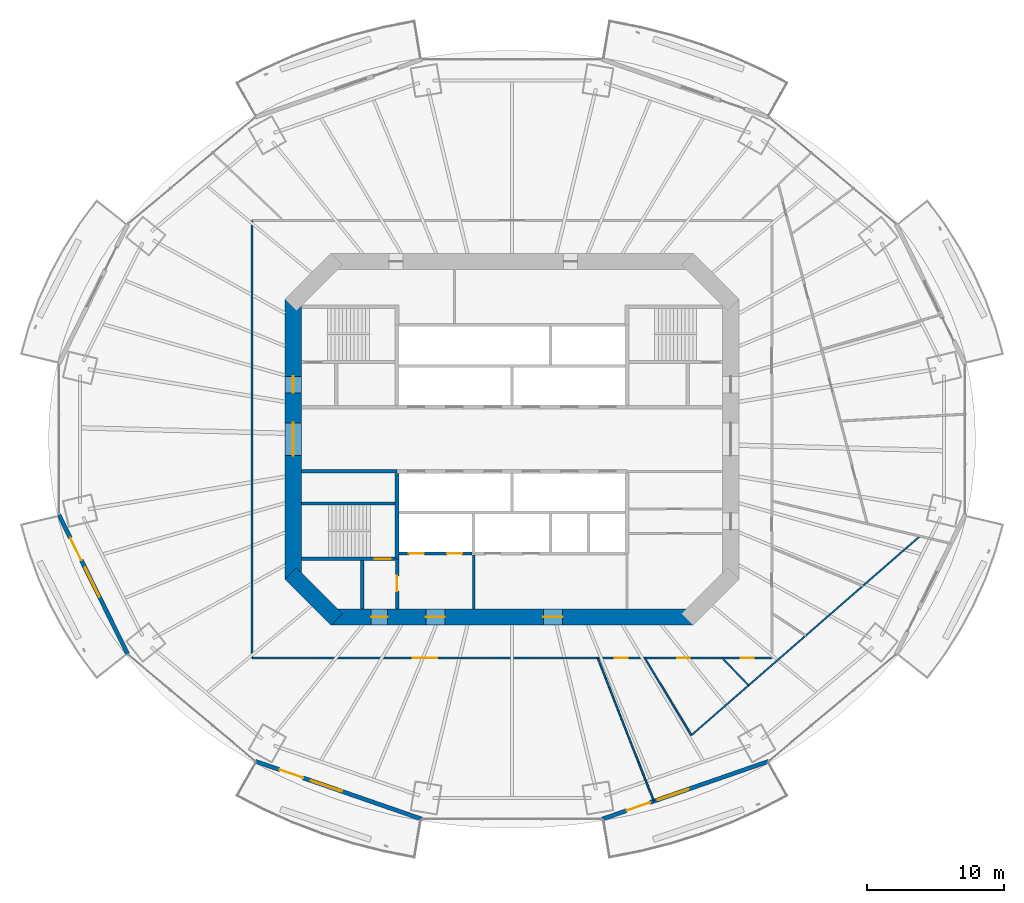
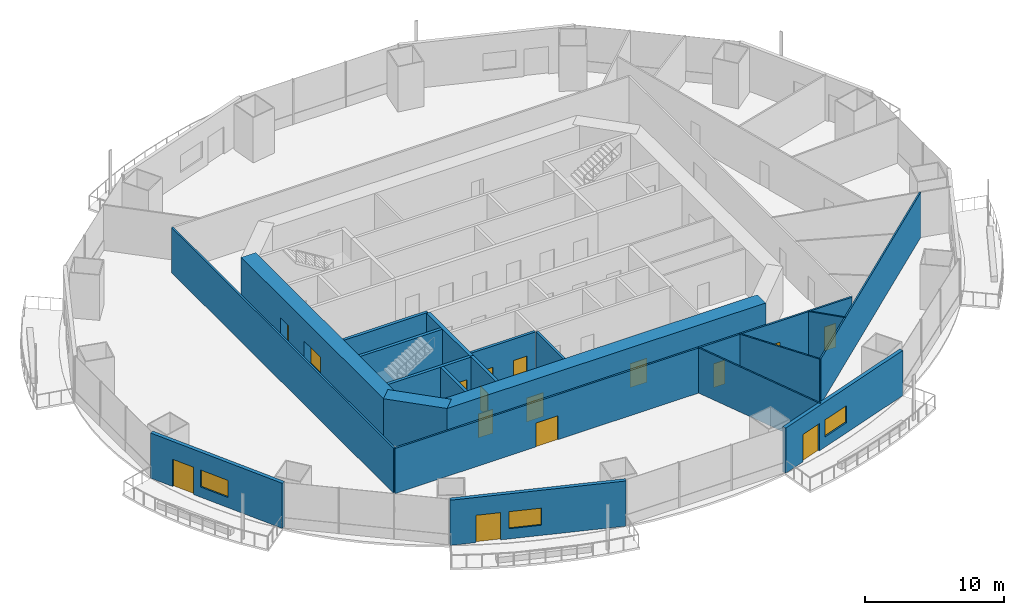
# One storey, part 13 of 21: 20 walls, 16 doors, 3 windows, 19 openings.
"""IFC4 building model written with IfcOpenShell, lengths in metres."""

from ifc_helpers import new_model, si_unit, direction, frame, frame_2d, origin, place, context, subcontext, project, spatial, rectangle, extrude, material, layer, layer_set, type_object, element, fill, save


model = new_model("IFC4")

# Units and contexts
model_context = context("Model", 3, precision=1e-05, world=origin(), true_north=direction((0.0, 1.0)))
body_context = subcontext(model_context, "Body", "Model", "MODEL_VIEW")
ifc_project = project(units=[si_unit("LENGTHUNIT", "METRE"), si_unit("AREAUNIT", "SQUARE_METRE"), si_unit("VOLUMEUNIT", "CUBIC_METRE"), si_unit("PLANEANGLEUNIT", "RADIAN"), si_unit("MASSUNIT", "GRAM", prefix="KILO")], contexts=[model_context])

# Site, building, storey
site_placement = place(None, origin())
site = spatial("IfcSite", under=ifc_project, at=site_placement, CompositionType="ELEMENT")
building_placement = place(site_placement, origin())
building = spatial("IfcBuilding", under=site, at=building_placement, Name="Marenthal Gate Tower", CompositionType="ELEMENT")
storey_placement = place(building_placement, frame((0.0, 0.0, 128.449951171875)))
storey = spatial("IfcBuildingStorey", under=building, at=storey_placement, Name="L27", CompositionType="ELEMENT", Elevation=128.449951171875)

# Wall, openings, doors
ifc_material_1 = material(Name="Concrete 60 MPa", Category="concrete")
ifc_layer_1 = layer(ifc_material_1, 1.199951171875)
ifc_layer_set_1 = layer_set([ifc_layer_1], Name="Core shear wall 1200")
wall_type_1 = type_object("IfcWallType", Name="Core shear wall 1200", PredefinedType="SHEAR", material=ifc_layer_set_1)
wall_1_placement = place(storey_placement, frame((-16.0, 10.24853515625, -0.179931640625), z_axis=(0.0, 0.0, 1.0), x_axis=(0.0, -1.0, 0.0)))
wall_1 = element("IfcWall", 1, at=wall_1_placement, inside=storey, type_object=wall_type_1, Name="Core wall 06", PredefinedType="SHEAR", context=body_context, shape_type="SweptSolid", body=[
    extrude(rectangle(XDim=20.4970703125, YDim=1.199951171875, at=frame_2d((10.24853515625, 0.0))), origin(), (0.0, 0.0, 1.0), 4.14990234375),
])
opening_1_placement = place(wall_1_placement, frame((9.048583984375, 0.0, 0.179931640625)))
opening_1 = element("IfcOpeningElement", 2, at=opening_1_placement, cuts=wall_1, Name="Opening D003.01", PredefinedType="OPENING", context=body_context, shape_type="SweptSolid", body=[
    extrude(rectangle(XDim=2.39990234375, YDim=2.10009765625, at=frame_2d((1.199951171875, 1.050048828125))), frame((0.0, 0.60986328125, 0.0), z_axis=(0.0, -1.0, 0.0), x_axis=(1.0, 0.0, 0.0)), (0.0, 0.0, 1.0), 1.219970703125),
])
opening_2_placement = place(wall_1_placement, frame((5.6484375, 0.0, 0.179931640625)))
opening_2 = element("IfcOpeningElement", 3, at=opening_2_placement, cuts=wall_1, Name="Opening D001.04", PredefinedType="OPENING", context=body_context, shape_type="SweptSolid", body=[
    extrude(rectangle(XDim=1.199951171875, YDim=2.10009765625, at=frame_2d((0.60009765625, 1.050048828125))), frame((0.0, 0.60986328125, 0.0), z_axis=(0.0, -1.0, 0.0), x_axis=(1.0, 0.0, 0.0)), (0.0, 0.0, 1.0), 1.219970703125),
])
ifc_material_2 = material(Name="Steel fire door", Category="steel")
door_type_1 = type_object("IfcDoorType", Name="Double fire door FD 45 2400 x 2100", OperationType="DOUBLE_DOOR_SINGLE_SWING", PredefinedType="DOOR", material=ifc_material_2)
door_1_placement = place(opening_1_placement, origin())
door_1 = element("IfcDoor", 4, at=door_1_placement, inside=storey, type_object=door_type_1, Name="Door D003.01", OperationType="DOUBLE_DOOR_SINGLE_SWING", OverallHeight=2.10009765625, OverallWidth=2.39990234375, PredefinedType="DOOR", context=body_context, shape_type="SweptSolid", body=[
    extrude(rectangle(XDim=2.39990234375, YDim=2.10009765625, at=frame_2d((1.199951171875, 1.050048828125))), frame((0.0, 0.02490234375, 0.0), z_axis=(0.0, -1.0, 0.0), x_axis=(1.0, 0.0, 0.0)), (0.0, 0.0, 1.0), 0.050048828125),
])
fill(opening_1, door_1)
ifc_material_3 = material(Name="Steel fire door", Category="steel")
door_type_2 = type_object("IfcDoorType", Name="Fire door FD 90 1200 x 2100", OperationType="NOTDEFINED", PredefinedType="DOOR", material=ifc_material_3)
door_2_placement = place(opening_2_placement, origin())
door_2 = element("IfcDoor", 5, at=door_2_placement, inside=storey, type_object=door_type_2, Name="Door D001.04", OperationType="SINGLE_SWING_RIGHT", OverallHeight=2.10009765625, OverallWidth=1.199951171875, PredefinedType="DOOR", context=body_context, shape_type="SweptSolid", body=[
    extrude(rectangle(XDim=1.199951171875, YDim=2.10009765625, at=frame_2d((0.60009765625, 1.050048828125))), frame((0.0, 0.02490234375, 0.0), z_axis=(0.0, -1.0, 0.0), x_axis=(1.0, 0.0, 0.0)), (0.0, 0.0, 1.0), 0.050048828125),
])
fill(opening_2, door_2)

# Wall
wall_2_placement = place(storey_placement, frame((-16.17578125, -9.82421875, -0.179931640625), z_axis=(0.0, 0.0, 1.0), x_axis=(0.707106781187, -0.707106781187, 0.0)))
element("IfcWall", 6, at=wall_2_placement, inside=storey, type_object=wall_type_1, Name="Core wall 07", PredefinedType="SHEAR", context=body_context, shape_type="SweptSolid", body=[
    extrude(rectangle(XDim=4.73974609375, YDim=1.199951171875, at=frame_2d((2.369873046875, 0.0))), origin(), (0.0, 0.0, 1.0), 4.14990234375),
])

# Wall, openings, doors
wall_3_placement = place(storey_placement, frame((-13.24853515625, -13.0, -0.179931640625), z_axis=(0.0, 0.0, 1.0), x_axis=(1.0, 0.0, 0.0)))
wall_3 = element("IfcWall", 7, at=wall_3_placement, inside=storey, type_object=wall_type_1, Name="Core wall 08", PredefinedType="SHEAR", context=body_context, shape_type="SweptSolid", body=[
    extrude(rectangle(XDim=26.4970703125, YDim=1.199951171875, at=frame_2d((13.24853515625, 0.0))), origin(), (0.0, 0.0, 1.0), 4.14990234375),
])
opening_3_placement = place(wall_3_placement, frame((2.948486328125, 0.0, 0.179931640625)))
opening_3 = element("IfcOpeningElement", 8, at=opening_3_placement, cuts=wall_3, Name="Opening D001.06", PredefinedType="OPENING", context=body_context, shape_type="SweptSolid", body=[
    extrude(rectangle(XDim=1.199951171875, YDim=2.10009765625, at=frame_2d((0.60009765625, 1.050048828125))), frame((0.0, 0.60986328125, 0.0), z_axis=(0.0, -1.0, 0.0), x_axis=(1.0, 0.0, 0.0)), (0.0, 0.0, 1.0), 1.219970703125),
])
opening_4_placement = place(wall_3_placement, frame((6.948486328125, 0.0, 0.179931640625)))
opening_4 = element("IfcOpeningElement", 9, at=opening_4_placement, cuts=wall_3, Name="Opening D004.01", PredefinedType="OPENING", context=body_context, shape_type="SweptSolid", body=[
    extrude(rectangle(XDim=1.39990234375, YDim=2.10009765625, at=frame_2d((0.699951171875, 1.050048828125))), frame((0.0, 0.60986328125, 0.0), z_axis=(0.0, -1.0, 0.0), x_axis=(1.0, 0.0, 0.0)), (0.0, 0.0, 1.0), 1.219970703125),
])
opening_5_placement = place(wall_3_placement, frame((15.548583984375, 0.0, 0.179931640625)))
opening_5 = element("IfcOpeningElement", 10, at=opening_5_placement, cuts=wall_3, Name="Opening D004.02", PredefinedType="OPENING", context=body_context, shape_type="SweptSolid", body=[
    extrude(rectangle(XDim=1.39990234375, YDim=2.10009765625, at=frame_2d((0.699951171875, 1.050048828125))), frame((0.0, 0.60986328125, 0.0), z_axis=(0.0, -1.0, 0.0), x_axis=(1.0, 0.0, 0.0)), (0.0, 0.0, 1.0), 1.219970703125),
])
ifc_material_4 = material(Name="Steel fire door", Category="steel")
door_type_3 = type_object("IfcDoorType", Name="Fire door FD 45 1400 x 2100", OperationType="NOTDEFINED", PredefinedType="DOOR", material=ifc_material_4)
door_3_placement = place(opening_4_placement, origin())
door_3 = element("IfcDoor", 11, at=door_3_placement, inside=storey, type_object=door_type_3, Name="Door D004.01", OperationType="SINGLE_SWING_RIGHT", OverallHeight=2.10009765625, OverallWidth=1.39990234375, PredefinedType="DOOR", context=body_context, shape_type="SweptSolid", body=[
    extrude(rectangle(XDim=1.39990234375, YDim=2.10009765625, at=frame_2d((0.699951171875, 1.050048828125))), frame((0.0, 0.02490234375, 0.0), z_axis=(0.0, -1.0, 0.0), x_axis=(1.0, 0.0, 0.0)), (0.0, 0.0, 1.0), 0.050048828125),
])
fill(opening_4, door_3)
door_4_placement = place(opening_5_placement, origin())
door_4 = element("IfcDoor", 12, at=door_4_placement, inside=storey, type_object=door_type_3, Name="Door D004.02", OperationType="SINGLE_SWING_RIGHT", OverallHeight=2.10009765625, OverallWidth=1.39990234375, PredefinedType="DOOR", context=body_context, shape_type="SweptSolid", body=[
    extrude(rectangle(XDim=1.39990234375, YDim=2.10009765625, at=frame_2d((0.699951171875, 1.050048828125))), frame((0.0, 0.02490234375, 0.0), z_axis=(0.0, -1.0, 0.0), x_axis=(1.0, 0.0, 0.0)), (0.0, 0.0, 1.0), 0.050048828125),
])
fill(opening_5, door_4)
door_5_placement = place(opening_3_placement, origin())
door_5 = element("IfcDoor", 13, at=door_5_placement, inside=storey, type_object=door_type_2, Name="Door D001.06", OperationType="SINGLE_SWING_RIGHT", OverallHeight=2.10009765625, OverallWidth=1.199951171875, PredefinedType="DOOR", context=body_context, shape_type="SweptSolid", body=[
    extrude(rectangle(XDim=1.199951171875, YDim=2.10009765625, at=frame_2d((0.60009765625, 1.050048828125))), frame((0.0, 0.02490234375, 0.0), z_axis=(0.0, -1.0, 0.0), x_axis=(1.0, 0.0, 0.0)), (0.0, 0.0, 1.0), 0.050048828125),
])
fill(opening_3, door_5)

# Walls
ifc_material_5 = material(Name="Gypsum board on steel studs", Category="steel")
ifc_layer_2 = layer(ifc_material_5, 0.199951171875)
ifc_layer_set_2 = layer_set([ifc_layer_2], Name="Fire lobby wall 200")
wall_type_2 = type_object("IfcWallType", Name="Fire lobby wall 200", PredefinedType="PARTITIONING", material=ifc_layer_set_2)
wall_4_placement = place(storey_placement, frame((-2.800048828125, -12.39990234375, 0.0), z_axis=(0.0, 0.0, 1.0), x_axis=(0.0, 1.0, 0.0)))
element("IfcWall", 14, at=wall_4_placement, inside=storey, type_object=wall_type_2, Name="Fire wall 35", PredefinedType="PARTITIONING", context=body_context, shape_type="SweptSolid", body=[
    extrude(rectangle(XDim=3.93994140625, YDim=0.199951171875, at=frame_2d((1.969970703125, 0.0))), origin(), (0.0, 0.0, 1.0), 3.969970703125),
])
ifc_material_6 = material(Name="Concrete 50 MPa", Category="concrete")
ifc_layer_3 = layer(ifc_material_6, 0.300048828125)
ifc_layer_set_3 = layer_set([ifc_layer_3], Name="Hoistway shear wall 300")
wall_type_3 = type_object("IfcWallType", Name="Hoistway shear wall 300", PredefinedType="SHEAR", material=ifc_layer_set_3)
wall_5_placement = place(storey_placement, frame((-8.39990234375, -8.75, -0.179931640625), z_axis=(0.0, 0.0, 1.0), x_axis=(0.0, 1.0, 0.0)))
element("IfcWall", 15, at=wall_5_placement, inside=storey, type_object=wall_type_3, Name="Hoistway wall 31", PredefinedType="SHEAR", context=body_context, shape_type="SweptSolid", body=[
    extrude(rectangle(XDim=6.25, YDim=0.300048828125, at=frame_2d((3.125, 0.0))), origin(), (0.0, 0.0, 1.0), 4.14990234375),
])

# Wall, openings, doors
ifc_material_7 = material(Name="Concrete 40 MPa", Category="concrete")
ifc_layer_4 = layer(ifc_material_7, 0.219970703125)
ifc_layer_set_4 = layer_set([ifc_layer_4], Name="Hoistway wall 220")
wall_type_4 = type_object("IfcWallType", Name="Hoistway wall 220", PredefinedType="STANDARD", material=ifc_layer_set_4)
wall_6_placement = place(storey_placement, frame((-8.25, -8.35009765625, 0.0), z_axis=(0.0, 0.0, 1.0), x_axis=(1.0, 0.0, 0.0)))
wall_6 = element("IfcWall", 16, at=wall_6_placement, inside=storey, type_object=wall_type_4, Name="Hoistway wall 10", PredefinedType="STANDARD", context=body_context, shape_type="SweptSolid", body=[
    extrude(rectangle(XDim=5.340087890625, YDim=0.219970703125, at=frame_2d((2.669921875, 0.0))), origin(), (0.0, 0.0, 1.0), 3.969970703125),
])
opening_6_placement = place(wall_6_placement, frame((0.699951171875, 0.0, 0.0)))
opening_6 = element("IfcOpeningElement", 17, at=opening_6_placement, cuts=wall_6, Name="Opening LD-LF1", PredefinedType="OPENING", context=body_context, shape_type="SweptSolid", body=[
    extrude(rectangle(XDim=1.10009765625, YDim=2.10009765625, at=frame_2d((0.550048828125, 1.050048828125))), frame((0.0, 0.1201171875, 0.0), z_axis=(0.0, -1.0, 0.0), x_axis=(1.0, 0.0, 0.0)), (0.0, 0.0, 1.0), 0.239990234375),
])
opening_7_placement = place(wall_6_placement, frame((3.5, 0.0, 0.0)))
opening_7 = element("IfcOpeningElement", 18, at=opening_7_placement, cuts=wall_6, Name="Opening LD-LF2", PredefinedType="OPENING", context=body_context, shape_type="SweptSolid", body=[
    extrude(rectangle(XDim=1.10009765625, YDim=2.10009765625, at=frame_2d((0.550048828125, 1.050048828125))), frame((0.0, 0.1201171875, 0.0), z_axis=(0.0, -1.0, 0.0), x_axis=(1.0, 0.0, 0.0)), (0.0, 0.0, 1.0), 0.239990234375),
])
ifc_material_8 = material(Name="Stainless steel sliding door", Category="steel")
door_type_4 = type_object("IfcDoorType", Name="Lift landing door FD 90 1100 x 2100", OperationType="DOUBLE_DOOR_SLIDING", PredefinedType="DOOR", material=ifc_material_8)
door_6_placement = place(opening_6_placement, origin())
door_6 = element("IfcDoor", 19, at=door_6_placement, inside=storey, type_object=door_type_4, Name="Lift landing door LF1", OperationType="DOUBLE_DOOR_SLIDING", OverallHeight=2.10009765625, OverallWidth=1.10009765625, PredefinedType="DOOR", context=body_context, shape_type="SweptSolid", body=[
    extrude(rectangle(XDim=1.10009765625, YDim=2.10009765625, at=frame_2d((0.550048828125, 1.050048828125))), frame((0.0, 0.02490234375, 0.0), z_axis=(0.0, -1.0, 0.0), x_axis=(1.0, 0.0, 0.0)), (0.0, 0.0, 1.0), 0.050048828125),
])
fill(opening_6, door_6)
door_7_placement = place(opening_7_placement, origin())
door_7 = element("IfcDoor", 20, at=door_7_placement, inside=storey, type_object=door_type_4, Name="Lift landing door LF2", OperationType="DOUBLE_DOOR_SLIDING", OverallHeight=2.10009765625, OverallWidth=1.10009765625, PredefinedType="DOOR", context=body_context, shape_type="SweptSolid", body=[
    extrude(rectangle(XDim=1.10009765625, YDim=2.10009765625, at=frame_2d((0.550048828125, 1.050048828125))), frame((0.0, 0.02490234375, 0.0), z_axis=(0.0, -1.0, 0.0), x_axis=(1.0, 0.0, 0.0)), (0.0, 0.0, 1.0), 0.050048828125),
])
fill(opening_7, door_7)

# Walls
ifc_material_9 = material(Name="Gypsum board on steel studs", Category="steel")
ifc_layer_5 = layer(ifc_material_9, 0.1201171875)
ifc_layer_set_5 = layer_set([ifc_layer_5], Name="Partition 120")
wall_type_5 = type_object("IfcWallType", Name="Partition 120", PredefinedType="PARTITIONING", material=ifc_layer_set_5)
wall_7_placement = place(storey_placement, frame((6.26904296875, -16.0, 0.0), z_axis=(0.0, 0.0, 1.0), x_axis=(0.364805509502, -0.931083745018, 0.0)))
element("IfcWall", 21, at=wall_7_placement, inside=storey, type_object=wall_type_5, Name="Partition wall 50", PredefinedType="PARTITIONING", context=body_context, shape_type="SweptSolid", body=[
    extrude(rectangle(XDim=11.240478515625, YDim=0.1201171875, at=frame_2d((5.6201171875, 0.0))), origin(), (0.0, 0.0, 1.0), 3.969970703125),
])
wall_8_placement = place(storey_placement, frame((13.123291015625, -21.637939453125, 0.0), z_axis=(0.0, 0.0, 1.0), x_axis=(0.754100434229, 0.65675911497, 0.0)))
element("IfcWall", 22, at=wall_8_placement, inside=storey, type_object=wall_type_5, Name="Partition wall 51", PredefinedType="PARTITIONING", context=body_context, shape_type="SweptSolid", body=[
    extrude(rectangle(XDim=22.154052734375, YDim=0.1201171875, at=frame_2d((11.0771484375, 0.0))), origin(), (0.0, 0.0, 1.0), 3.969970703125),
])
wall_9_placement = place(storey_placement, frame((13.123291015625, -21.637939453125, 0.0), z_axis=(0.0, 0.0, 1.0), x_axis=(-0.518579044336, 0.855029692336, 0.0)))
element("IfcWall", 23, at=wall_9_placement, inside=storey, type_object=wall_type_5, Name="Partition wall 52", PredefinedType="PARTITIONING", context=body_context, shape_type="SweptSolid", body=[
    extrude(rectangle(XDim=6.59375, YDim=0.1201171875, at=frame_2d((3.296875, 0.0))), origin(), (0.0, 0.0, 1.0), 3.969970703125),
])
wall_10_placement = place(storey_placement, frame((17.2998046875, -18.00048828125, 0.0), z_axis=(0.0, 0.0, 1.0), x_axis=(-0.69293284795, 0.721002127759, 0.0)))
element("IfcWall", 24, at=wall_10_placement, inside=storey, type_object=wall_type_5, Name="Partition wall 54", PredefinedType="PARTITIONING", context=body_context, shape_type="SweptSolid", body=[
    extrude(rectangle(XDim=2.774658203125, YDim=0.1201171875, at=frame_2d((1.38720703125, 0.0))), origin(), (0.0, 0.0, 1.0), 3.969970703125),
])
ifc_material_10 = material(Name="Gypsum board on steel studs", Category="steel")
ifc_layer_6 = layer(ifc_material_10, 0.14990234375)
ifc_layer_set_6 = layer_set([ifc_layer_6], Name="Partition 150")
wall_type_6 = type_object("IfcWallType", Name="Partition 150", PredefinedType="PARTITIONING", material=ifc_layer_set_6)
wall_11_placement = place(storey_placement, frame((-19.0, -16.0, 0.0), z_axis=(0.0, 0.0, 1.0), x_axis=(0.0, 1.0, 0.0)))
element("IfcWall", 25, at=wall_11_placement, inside=storey, type_object=wall_type_6, Name="Partition wall 47", PredefinedType="PARTITIONING", context=body_context, shape_type="SweptSolid", body=[
    extrude(rectangle(XDim=32.0, YDim=0.14990234375, at=frame_2d((16.0, 0.0))), origin(), (0.0, 0.0, 1.0), 3.969970703125),
])

# Wall, openings, doors
wall_12_placement = place(storey_placement, frame((19.0, -16.0, 0.0), z_axis=(0.0, 0.0, 1.0), x_axis=(-1.0, 0.0, 0.0)))
wall_12 = element("IfcWall", 26, at=wall_12_placement, inside=storey, type_object=wall_type_6, Name="Partition wall 55", PredefinedType="PARTITIONING", context=body_context, shape_type="SweptSolid", body=[
    extrude(rectangle(XDim=38.0, YDim=0.14990234375, at=frame_2d((19.0, 0.0))), origin(), (0.0, 0.0, 1.0), 3.969970703125),
])
opening_8_placement = place(wall_12_placement, frame((24.465087890625, 0.0, 0.0)))
opening_8 = element("IfcOpeningElement", 27, at=opening_8_placement, cuts=wall_12, Name="Opening D014.02", PredefinedType="OPENING", context=body_context, shape_type="SweptSolid", body=[
    extrude(rectangle(XDim=1.800048828125, YDim=2.10009765625, at=frame_2d((0.89990234375, 1.050048828125))), frame((0.0, 0.0849609375, 0.0), z_axis=(0.0, -1.0, 0.0), x_axis=(1.0, 0.0, 0.0)), (0.0, 0.0, 1.0), 0.169921875),
])
opening_9_placement = place(wall_12_placement, frame((5.98388671875, 0.0, 0.0)))
opening_9 = element("IfcOpeningElement", 28, at=opening_9_placement, cuts=wall_12, Name="Opening D016.01", PredefinedType="OPENING", context=body_context, shape_type="SweptSolid", body=[
    extrude(rectangle(XDim=0.949951171875, YDim=2.10009765625, at=frame_2d((0.47509765625, 1.050048828125))), frame((0.0, 0.0849609375, 0.0), z_axis=(0.0, -1.0, 0.0), x_axis=(1.0, 0.0, 0.0)), (0.0, 0.0, 1.0), 0.169921875),
])
opening_10_placement = place(wall_12_placement, frame((1.3359375, 0.0, 0.0)))
opening_10 = element("IfcOpeningElement", 29, at=opening_10_placement, cuts=wall_12, Name="Opening D016.02", PredefinedType="OPENING", context=body_context, shape_type="SweptSolid", body=[
    extrude(rectangle(XDim=0.949951171875, YDim=2.10009765625, at=frame_2d((0.47509765625, 1.050048828125))), frame((0.0, 0.0849609375, 0.0), z_axis=(0.0, -1.0, 0.0), x_axis=(1.0, 0.0, 0.0)), (0.0, 0.0, 1.0), 0.169921875),
])
opening_11_placement = place(wall_12_placement, frame((10.5380859375, 0.0, 0.0)))
opening_11 = element("IfcOpeningElement", 30, at=opening_11_placement, cuts=wall_12, Name="Opening D016.05", PredefinedType="OPENING", context=body_context, shape_type="SweptSolid", body=[
    extrude(rectangle(XDim=0.949951171875, YDim=2.10009765625, at=frame_2d((0.47509765625, 1.050048828125))), frame((0.0, 0.0849609375, 0.0), z_axis=(0.0, -1.0, 0.0), x_axis=(1.0, 0.0, 0.0)), (0.0, 0.0, 1.0), 0.169921875),
])
ifc_material_11 = material(Name="Timber door", Category="wood")
door_type_5 = type_object("IfcDoorType", Name="Door 950 x 2100", OperationType="NOTDEFINED", PredefinedType="DOOR", material=ifc_material_11)
door_8_placement = place(opening_9_placement, origin())
door_8 = element("IfcDoor", 31, at=door_8_placement, inside=storey, type_object=door_type_5, Name="Door D016.01", OperationType="SINGLE_SWING_RIGHT", OverallHeight=2.10009765625, OverallWidth=0.949951171875, PredefinedType="DOOR", context=body_context, shape_type="SweptSolid", body=[
    extrude(rectangle(XDim=0.949951171875, YDim=2.10009765625, at=frame_2d((0.47509765625, 1.050048828125))), frame((0.0, 0.02490234375, 0.0), z_axis=(0.0, -1.0, 0.0), x_axis=(1.0, 0.0, 0.0)), (0.0, 0.0, 1.0), 0.050048828125),
])
fill(opening_9, door_8)
door_9_placement = place(opening_10_placement, origin())
door_9 = element("IfcDoor", 32, at=door_9_placement, inside=storey, type_object=door_type_5, Name="Door D016.02", OperationType="SINGLE_SWING_RIGHT", OverallHeight=2.10009765625, OverallWidth=0.949951171875, PredefinedType="DOOR", context=body_context, shape_type="SweptSolid", body=[
    extrude(rectangle(XDim=0.949951171875, YDim=2.10009765625, at=frame_2d((0.47509765625, 1.050048828125))), frame((0.0, 0.02490234375, 0.0), z_axis=(0.0, -1.0, 0.0), x_axis=(1.0, 0.0, 0.0)), (0.0, 0.0, 1.0), 0.050048828125),
])
fill(opening_10, door_9)
door_10_placement = place(opening_11_placement, origin())
door_10 = element("IfcDoor", 33, at=door_10_placement, inside=storey, type_object=door_type_5, Name="Door D016.05", OperationType="SINGLE_SWING_RIGHT", OverallHeight=2.10009765625, OverallWidth=0.949951171875, PredefinedType="DOOR", context=body_context, shape_type="SweptSolid", body=[
    extrude(rectangle(XDim=0.949951171875, YDim=2.10009765625, at=frame_2d((0.47509765625, 1.050048828125))), frame((0.0, 0.02490234375, 0.0), z_axis=(0.0, -1.0, 0.0), x_axis=(1.0, 0.0, 0.0)), (0.0, 0.0, 1.0), 0.050048828125),
])
fill(opening_11, door_10)
ifc_material_12 = material(Name="Timber door", Category="wood")
door_type_6 = type_object("IfcDoorType", Name="Double door 1800 x 2100", OperationType="DOUBLE_DOOR_SINGLE_SWING", PredefinedType="DOOR", material=ifc_material_12)
door_11_placement = place(opening_8_placement, origin())
door_11 = element("IfcDoor", 34, at=door_11_placement, inside=storey, type_object=door_type_6, Name="Door D014.02", OperationType="DOUBLE_DOOR_SINGLE_SWING", OverallHeight=2.10009765625, OverallWidth=1.800048828125, PredefinedType="DOOR", context=body_context, shape_type="SweptSolid", body=[
    extrude(rectangle(XDim=1.800048828125, YDim=2.10009765625, at=frame_2d((0.89990234375, 1.050048828125))), frame((0.0, 0.02490234375, 0.0), z_axis=(0.0, -1.0, 0.0), x_axis=(1.0, 0.0, 0.0)), (0.0, 0.0, 1.0), 0.050048828125),
])
fill(opening_8, door_11)

# Walls
ifc_material_13 = material(Name="Concrete 40 MPa", Category="concrete")
ifc_layer_7 = layer(ifc_material_13, 0.25)
ifc_layer_set_7 = layer_set([ifc_layer_7], Name="Stair enclosure wall 250")
wall_type_7 = type_object("IfcWallType", Name="Stair enclosure wall 250", PredefinedType="STANDARD", material=ifc_layer_set_7)
wall_13_placement = place(storey_placement, frame((-15.39990234375, -2.35009765625, 0.0), z_axis=(0.0, 0.0, 1.0), x_axis=(1.0, 0.0, 0.0)))
element("IfcWall", 35, at=wall_13_placement, inside=storey, type_object=wall_type_7, Name="Stair wall 16", PredefinedType="STANDARD", context=body_context, shape_type="SweptSolid", body=[
    extrude(rectangle(XDim=7.0, YDim=0.25, at=frame_2d((3.5, 0.0))), origin(), (0.0, 0.0, 1.0), 3.969970703125),
])
wall_14_placement = place(storey_placement, frame((-10.949951171875, -12.39990234375, 0.0), z_axis=(0.0, 0.0, 1.0), x_axis=(0.0, 1.0, 0.0)))
element("IfcWall", 36, at=wall_14_placement, inside=storey, type_object=wall_type_7, Name="Stair wall 29", PredefinedType="STANDARD", context=body_context, shape_type="SweptSolid", body=[
    extrude(rectangle(XDim=3.52490234375, YDim=0.25, at=frame_2d((1.762451171875, 0.0))), origin(), (0.0, 0.0, 1.0), 3.969970703125),
])

# Wall, opening, door
wall_15_placement = place(storey_placement, frame((-8.39990234375, -12.39990234375, 0.0), z_axis=(0.0, 0.0, 1.0), x_axis=(0.0, 1.0, 0.0)))
wall_15 = element("IfcWall", 37, at=wall_15_placement, inside=storey, type_object=wall_type_7, Name="Stair wall 30", PredefinedType="STANDARD", context=body_context, shape_type="SweptSolid", body=[
    extrude(rectangle(XDim=3.64990234375, YDim=0.25, at=frame_2d((1.824951171875, 0.0))), origin(), (0.0, 0.0, 1.0), 3.969970703125),
])
opening_12_placement = place(wall_15_placement, frame((1.300048828125, 0.0, 0.0)))
opening_12 = element("IfcOpeningElement", 38, at=opening_12_placement, cuts=wall_15, Name="Opening D002.01", PredefinedType="OPENING", context=body_context, shape_type="SweptSolid", body=[
    extrude(rectangle(XDim=1.10009765625, YDim=2.10009765625, at=frame_2d((0.550048828125, 1.050048828125))), frame((0.0, 0.135009765625, 0.0), z_axis=(0.0, -1.0, 0.0), x_axis=(1.0, 0.0, 0.0)), (0.0, 0.0, 1.0), 0.27001953125),
])
ifc_material_14 = material(Name="Steel fire door", Category="steel")
door_type_7 = type_object("IfcDoorType", Name="Fire door FD 90 1100 x 2100", OperationType="NOTDEFINED", PredefinedType="DOOR", material=ifc_material_14)
door_12_placement = place(opening_12_placement, origin())
door_12 = element("IfcDoor", 39, at=door_12_placement, inside=storey, type_object=door_type_7, Name="Door D002.01", OperationType="SINGLE_SWING_RIGHT", OverallHeight=2.10009765625, OverallWidth=1.10009765625, PredefinedType="DOOR", context=body_context, shape_type="SweptSolid", body=[
    extrude(rectangle(XDim=1.10009765625, YDim=2.10009765625, at=frame_2d((0.550048828125, 1.050048828125))), frame((0.0, 0.02490234375, 0.0), z_axis=(0.0, -1.0, 0.0), x_axis=(1.0, 0.0, 0.0)), (0.0, 0.0, 1.0), 0.050048828125),
])
fill(opening_12, door_12)

ifc_material_15 = material(Name="Concrete 50 MPa", Category="concrete")
ifc_layer_8 = layer(ifc_material_15, 0.25)
ifc_layer_set_8 = layer_set([ifc_layer_8], Name="Stair shear wall 250")
wall_type_8 = type_object("IfcWallType", Name="Stair shear wall 250", PredefinedType="SHEAR", material=ifc_layer_set_8)
wall_16_placement = place(storey_placement, frame((-15.39990234375, -8.75, -0.179931640625), z_axis=(0.0, 0.0, 1.0), x_axis=(1.0, 0.0, 0.0)))
wall_16 = element("IfcWall", 40, at=wall_16_placement, inside=storey, type_object=wall_type_8, Name="Stair wall 09", PredefinedType="SHEAR", context=body_context, shape_type="SweptSolid", body=[
    extrude(rectangle(XDim=6.849853515625, YDim=0.25, at=frame_2d((3.4248046875, 0.0))), origin(), (0.0, 0.0, 1.0), 4.14990234375),
])
opening_13_placement = place(wall_16_placement, frame((5.35009765625, 0.0, 0.179931640625)))
opening_13 = element("IfcOpeningElement", 41, at=opening_13_placement, cuts=wall_16, Name="Opening D001.03", PredefinedType="OPENING", context=body_context, shape_type="SweptSolid", body=[
    extrude(rectangle(XDim=1.199951171875, YDim=2.10009765625, at=frame_2d((0.60009765625, 1.050048828125))), frame((0.0, 0.135009765625, 0.0), z_axis=(0.0, -1.0, 0.0), x_axis=(1.0, 0.0, 0.0)), (0.0, 0.0, 1.0), 0.27001953125),
])
door_13_placement = place(opening_13_placement, origin())
door_13 = element("IfcDoor", 42, at=door_13_placement, inside=storey, type_object=door_type_2, Name="Door D001.03", OperationType="SINGLE_SWING_RIGHT", OverallHeight=2.10009765625, OverallWidth=1.199951171875, PredefinedType="DOOR", context=body_context, shape_type="SweptSolid", body=[
    extrude(rectangle(XDim=1.199951171875, YDim=2.10009765625, at=frame_2d((0.60009765625, 1.050048828125))), frame((0.0, 0.02490234375, 0.0), z_axis=(0.0, -1.0, 0.0), x_axis=(1.0, 0.0, 0.0)), (0.0, 0.0, 1.0), 0.050048828125),
])
fill(opening_13, door_13)

# Wall
wall_17_placement = place(storey_placement, frame((-15.39990234375, -4.699951171875, -0.179931640625), z_axis=(0.0, 0.0, 1.0), x_axis=(1.0, 0.0, 0.0)))
element("IfcWall", 43, at=wall_17_placement, inside=storey, type_object=wall_type_8, Name="Stair wall 15", PredefinedType="SHEAR", context=body_context, shape_type="SweptSolid", body=[
    extrude(rectangle(XDim=6.849853515625, YDim=0.25, at=frame_2d((3.4248046875, 0.0))), origin(), (0.0, 0.0, 1.0), 4.14990234375),
])

# Wall, openings, door, window
ifc_material_16 = material(Name="Terracotta cladding on insulated concrete-block backing", Category="masonry")
ifc_layer_9 = layer(ifc_material_16, 0.300048828125)
ifc_layer_set_9 = layer_set([ifc_layer_9], Name="Terracotta facade wall 300")
wall_type_9 = type_object("IfcWallType", Name="Terracotta facade wall 300", PredefinedType="SOLIDWALL", material=ifc_layer_set_9)
wall_18_placement = place(storey_placement, frame((-33.134765625, -5.525390625, 0.0), z_axis=(0.0, 0.0, 1.0), x_axis=(0.442972236493, -0.896535329865, 0.0)))
wall_18 = element("IfcWall", 44, at=wall_18_placement, inside=storey, type_object=wall_type_9, Name="Terracotta facade wall L27 bay 9", PredefinedType="SOLIDWALL", context=body_context, shape_type="SweptSolid", body=[
    extrude(rectangle(XDim=11.3876953125, YDim=0.300048828125, at=frame_2d((5.69384765625, 0.0))), origin(), (0.0, 0.0, 1.0), 3.969970703125),
])
opening_14_placement = place(wall_18_placement, frame((1.89990234375, 0.0, 0.0)))
opening_14 = element("IfcOpeningElement", 45, at=opening_14_placement, cuts=wall_18, Name="Opening BD-L27-09", PredefinedType="OPENING", context=body_context, shape_type="SweptSolid", body=[
    extrude(rectangle(XDim=1.800048828125, YDim=2.39990234375, at=frame_2d((0.89990234375, 1.199951171875))), frame((0.0, 0.16015625, 0.0), z_axis=(0.0, -1.0, 0.0), x_axis=(1.0, 0.0, 0.0)), (0.0, 0.0, 1.0), 0.320068359375),
])
opening_15_placement = place(wall_18_placement, frame((4.300048828125, 0.0, 0.89990234375)))
opening_15 = element("IfcOpeningElement", 46, at=opening_15_placement, cuts=wall_18, Name="Opening WN1-L27-09", PredefinedType="OPENING", context=body_context, shape_type="SweptSolid", body=[
    extrude(rectangle(XDim=2.39990234375, YDim=1.5, at=frame_2d((1.199951171875, 0.75))), frame((0.0, 0.16015625, 0.0), z_axis=(0.0, -1.0, 0.0), x_axis=(1.0, 0.0, 0.0)), (0.0, 0.0, 1.0), 0.320068359375),
])
ifc_material_17 = material(Name="Aluminium and glass", Category="aluminium")
door_type_8 = type_object("IfcDoorType", Name="Balcony door 1800x2400", OperationType="DOUBLE_DOOR_SINGLE_SWING", PredefinedType="DOOR", material=ifc_material_17)
door_14_placement = place(opening_14_placement, origin())
door_14 = element("IfcDoor", 47, at=door_14_placement, inside=storey, type_object=door_type_8, Name="Balcony door L27 bay 9", OperationType="SINGLE_SWING_LEFT", OverallHeight=2.39990234375, OverallWidth=1.800048828125, PredefinedType="DOOR", context=body_context, shape_type="SweptSolid", body=[
    extrude(rectangle(XDim=1.800048828125, YDim=2.39990234375, at=frame_2d((0.89990234375, 1.199951171875))), frame((0.0, 0.02490234375, 0.0), z_axis=(0.0, -1.0, 0.0), x_axis=(1.0, 0.0, 0.0)), (0.0, 0.0, 1.0), 0.050048828125),
])
fill(opening_14, door_14)
ifc_material_18 = material(Name="Aluminium and glass", Category="aluminium")
window_type = type_object("IfcWindowType", Name="Window 2400x1500", PartitioningType="TRIPLE_PANEL_VERTICAL", PredefinedType="WINDOW", material=ifc_material_18)
window_1_placement = place(opening_15_placement, origin())
window_1 = element("IfcWindow", 48, at=window_1_placement, inside=storey, type_object=window_type, Name="Window L27 bay 9", OverallHeight=1.5, OverallWidth=2.39990234375, PartitioningType="SINGLE_PANEL", PredefinedType="WINDOW", context=body_context, shape_type="SweptSolid", body=[
    extrude(rectangle(XDim=2.39990234375, YDim=1.5, at=frame_2d((1.199951171875, 0.75))), frame((0.0, 0.030029296875, 0.0), z_axis=(0.0, -1.0, 0.0), x_axis=(1.0, 0.0, 0.0)), (0.0, 0.0, 1.0), 0.06005859375),
])
fill(opening_15, window_1)

wall_19_placement = place(storey_placement, frame((-18.769287109375, -23.548828125, 0.0), z_axis=(0.0, 0.0, 1.0), x_axis=(0.944664780262, -0.328037273694, 0.0)))
wall_19 = element("IfcWall", 49, at=wall_19_placement, inside=storey, type_object=wall_type_9, Name="Terracotta facade wall L27 bay 11", PredefinedType="SOLIDWALL", context=body_context, shape_type="SweptSolid", body=[
    extrude(rectangle(XDim=12.891845703125, YDim=0.300048828125, at=frame_2d((6.44580078125, 0.0))), origin(), (0.0, 0.0, 1.0), 3.969970703125),
])
opening_16_placement = place(wall_19_placement, frame((1.89990234375, 0.0, 0.0)))
opening_16 = element("IfcOpeningElement", 50, at=opening_16_placement, cuts=wall_19, Name="Opening BD-L27-11", PredefinedType="OPENING", context=body_context, shape_type="SweptSolid", body=[
    extrude(rectangle(XDim=1.800048828125, YDim=2.39990234375, at=frame_2d((0.89990234375, 1.199951171875))), frame((0.0, 0.16015625, 0.0), z_axis=(0.0, -1.0, 0.0), x_axis=(1.0, 0.0, 0.0)), (0.0, 0.0, 1.0), 0.320068359375),
])
opening_17_placement = place(wall_19_placement, frame((4.300048828125, 0.0, 0.89990234375)))
opening_17 = element("IfcOpeningElement", 51, at=opening_17_placement, cuts=wall_19, Name="Opening WN1-L27-11", PredefinedType="OPENING", context=body_context, shape_type="SweptSolid", body=[
    extrude(rectangle(XDim=2.39990234375, YDim=1.5, at=frame_2d((1.199951171875, 0.75))), frame((0.0, 0.16015625, 0.0), z_axis=(0.0, -1.0, 0.0), x_axis=(1.0, 0.0, 0.0)), (0.0, 0.0, 1.0), 0.320068359375),
])
door_15_placement = place(opening_16_placement, origin())
door_15 = element("IfcDoor", 52, at=door_15_placement, inside=storey, type_object=door_type_8, Name="Balcony door L27 bay 11", OperationType="SINGLE_SWING_LEFT", OverallHeight=2.39990234375, OverallWidth=1.800048828125, PredefinedType="DOOR", context=body_context, shape_type="SweptSolid", body=[
    extrude(rectangle(XDim=1.800048828125, YDim=2.39990234375, at=frame_2d((0.89990234375, 1.199951171875))), frame((0.0, 0.02490234375, 0.0), z_axis=(0.0, -1.0, 0.0), x_axis=(1.0, 0.0, 0.0)), (0.0, 0.0, 1.0), 0.050048828125),
])
fill(opening_16, door_15)
window_2_placement = place(opening_17_placement, origin())
window_2 = element("IfcWindow", 53, at=window_2_placement, inside=storey, type_object=window_type, Name="Window L27 bay 11", OverallHeight=1.5, OverallWidth=2.39990234375, PartitioningType="SINGLE_PANEL", PredefinedType="WINDOW", context=body_context, shape_type="SweptSolid", body=[
    extrude(rectangle(XDim=2.39990234375, YDim=1.5, at=frame_2d((1.199951171875, 0.75))), frame((0.0, 0.030029296875, 0.0), z_axis=(0.0, -1.0, 0.0), x_axis=(1.0, 0.0, 0.0)), (0.0, 0.0, 1.0), 0.06005859375),
])
fill(opening_17, window_2)

wall_20_placement = place(storey_placement, frame((6.5908203125, -27.77783203125, 0.0), z_axis=(0.0, 0.0, 1.0), x_axis=(0.944664780262, 0.328037273694, 0.0)))
wall_20 = element("IfcWall", 54, at=wall_20_placement, inside=storey, type_object=wall_type_9, Name="Terracotta facade wall L27 bay 13", PredefinedType="SOLIDWALL", context=body_context, shape_type="SweptSolid", body=[
    extrude(rectangle(XDim=12.891845703125, YDim=0.300048828125, at=frame_2d((6.44580078125, 0.0))), origin(), (0.0, 0.0, 1.0), 3.969970703125),
])
opening_18_placement = place(wall_20_placement, frame((1.89990234375, 0.0, 0.0)))
opening_18 = element("IfcOpeningElement", 55, at=opening_18_placement, cuts=wall_20, Name="Opening BD-L27-13", PredefinedType="OPENING", context=body_context, shape_type="SweptSolid", body=[
    extrude(rectangle(XDim=1.800048828125, YDim=2.39990234375, at=frame_2d((0.89990234375, 1.199951171875))), frame((0.0, 0.16015625, 0.0), z_axis=(0.0, -1.0, 0.0), x_axis=(1.0, 0.0, 0.0)), (0.0, 0.0, 1.0), 0.320068359375),
])
opening_19_placement = place(wall_20_placement, frame((4.300048828125, 0.0, 0.89990234375)))
opening_19 = element("IfcOpeningElement", 56, at=opening_19_placement, cuts=wall_20, Name="Opening WN1-L27-13", PredefinedType="OPENING", context=body_context, shape_type="SweptSolid", body=[
    extrude(rectangle(XDim=2.39990234375, YDim=1.5, at=frame_2d((1.199951171875, 0.75))), frame((0.0, 0.16015625, 0.0), z_axis=(0.0, -1.0, 0.0), x_axis=(1.0, 0.0, 0.0)), (0.0, 0.0, 1.0), 0.320068359375),
])
door_16_placement = place(opening_18_placement, origin())
door_16 = element("IfcDoor", 57, at=door_16_placement, inside=storey, type_object=door_type_8, Name="Balcony door L27 bay 13", OperationType="SINGLE_SWING_LEFT", OverallHeight=2.39990234375, OverallWidth=1.800048828125, PredefinedType="DOOR", context=body_context, shape_type="SweptSolid", body=[
    extrude(rectangle(XDim=1.800048828125, YDim=2.39990234375, at=frame_2d((0.89990234375, 1.199951171875))), frame((0.0, 0.02490234375, 0.0), z_axis=(0.0, -1.0, 0.0), x_axis=(1.0, 0.0, 0.0)), (0.0, 0.0, 1.0), 0.050048828125),
])
fill(opening_18, door_16)
window_3_placement = place(opening_19_placement, origin())
window_3 = element("IfcWindow", 58, at=window_3_placement, inside=storey, type_object=window_type, Name="Window L27 bay 13", OverallHeight=1.5, OverallWidth=2.39990234375, PartitioningType="SINGLE_PANEL", PredefinedType="WINDOW", context=body_context, shape_type="SweptSolid", body=[
    extrude(rectangle(XDim=2.39990234375, YDim=1.5, at=frame_2d((1.199951171875, 0.75))), frame((0.0, 0.030029296875, 0.0), z_axis=(0.0, -1.0, 0.0), x_axis=(1.0, 0.0, 0.0)), (0.0, 0.0, 1.0), 0.06005859375),
])
fill(opening_19, window_3)

save(model, "model.ifc")
